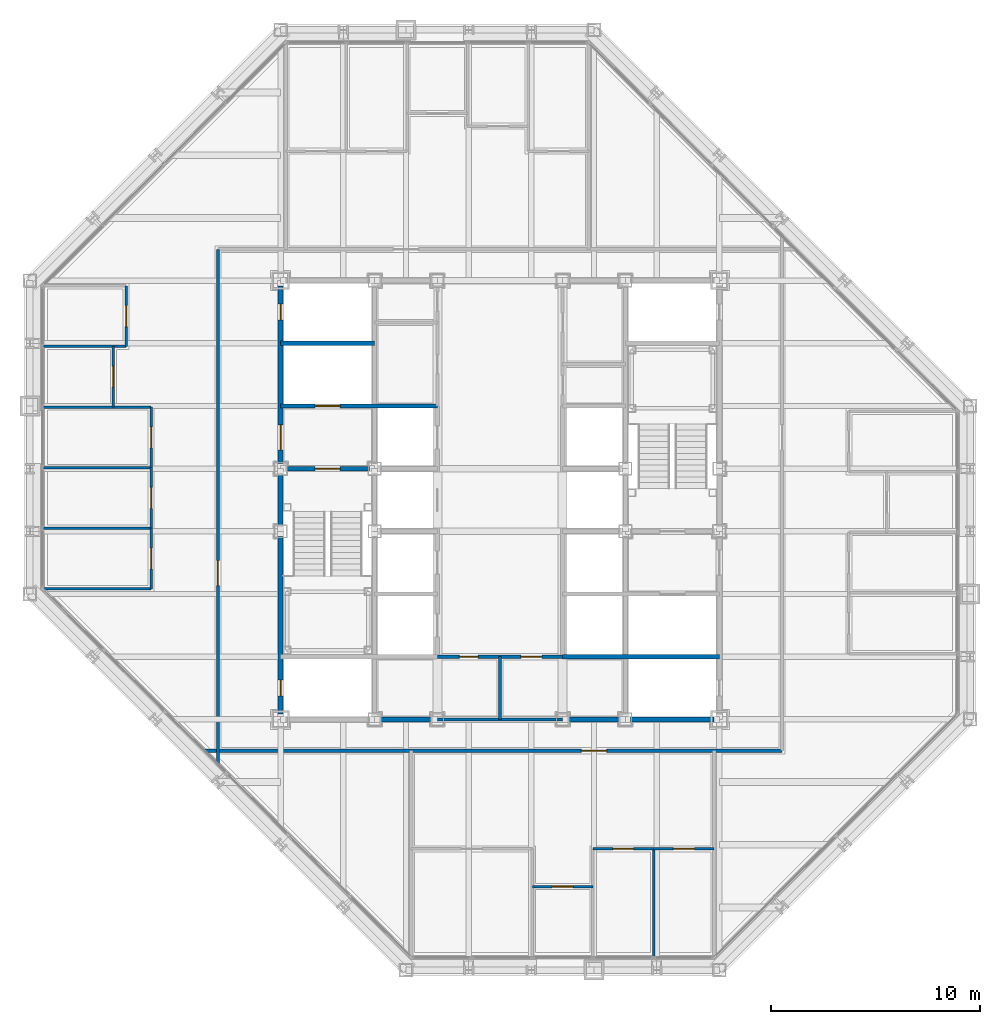
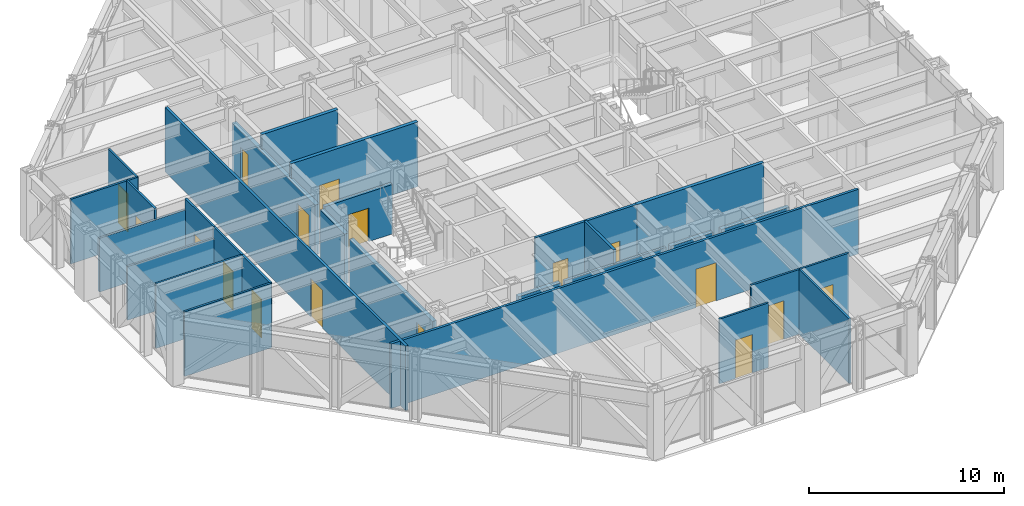
# One storey, part 11 of 16: 29 walls, 17 doors, 17 openings.
"""IFC4 building model written with IfcOpenShell, lengths in metres."""

from ifc_helpers import new_model, si_unit, direction, frame, frame_2d, origin, place, context, subcontext, project, spatial, rectangle, extrude, material, layer, layer_set, type_object, element, fill, save


model = new_model("IFC4")

# Units and contexts
model_context = context("Model", 3, precision=1e-05, world=origin(), true_north=direction((0.0, 1.0)))
body_context = subcontext(model_context, "Body", "Model", "MODEL_VIEW")
ifc_project = project(units=[si_unit("LENGTHUNIT", "METRE"), si_unit("AREAUNIT", "SQUARE_METRE"), si_unit("VOLUMEUNIT", "CUBIC_METRE"), si_unit("PLANEANGLEUNIT", "RADIAN"), si_unit("MASSUNIT", "GRAM", prefix="KILO")], contexts=[model_context])

# Site, building, storey
site_placement = place(None, origin())
site = spatial("IfcSite", under=ifc_project, at=site_placement, CompositionType="ELEMENT")
building_placement = place(site_placement, origin())
building = spatial("IfcBuilding", under=site, at=building_placement, Name="Chuquiago Exchange Tower", CompositionType="ELEMENT")
storey_placement = place(building_placement, frame((0.0, 0.0, 205.5)))
storey = spatial("IfcBuildingStorey", under=building, at=storey_placement, Name="L45", CompositionType="ELEMENT", Elevation=205.5)

# Wall, opening, door
ifc_material_1 = material(Name="Concrete masonry, fully grouted", Category="masonry")
ifc_layer_1 = layer(ifc_material_1, 0.25)
ifc_layer_set_1 = layer_set([ifc_layer_1], Name="W1 core wall 250")
wall_type_1 = type_object("IfcWallType", Name="W1 core wall 250", PredefinedType="SOLIDWALL", material=ifc_layer_set_1)
wall_1_placement = place(storey_placement, frame((12.0, 12.25, 0.0), z_axis=(0.0, 0.0, 1.0), x_axis=(0.0, 1.0, 0.0)))
wall_1 = element("IfcWall", 1, at=wall_1_placement, inside=storey, type_object=wall_type_1, Name="CW-L45-00-0", PredefinedType="SOLIDWALL", context=body_context, shape_type="SweptSolid", body=[
    extrude(rectangle(XDim=8.5, YDim=0.25, at=frame_2d((4.25, 0.0))), origin(), (0.0, 0.0, 1.0), 3.11279296875),
])
opening_1_placement = place(wall_1_placement, frame((0.875, 0.0, 0.0)))
opening_1 = element("IfcOpeningElement", 2, at=opening_1_placement, cuts=wall_1, Name="Opening L45-007", PredefinedType="OPENING", context=body_context, shape_type="SweptSolid", body=[
    extrude(rectangle(XDim=0.75, YDim=2.10009765625, at=frame_2d((0.375, 1.050048828125))), frame((0.0, 0.135009765625, 0.0), z_axis=(0.0, -1.0, 0.0), x_axis=(1.0, 0.0, 0.0)), (0.0, 0.0, 1.0), 0.27001953125),
])
ifc_material_2 = material(Name="Steel door, painted", Category="steel")
door_type_1 = type_object("IfcDoorType", Name="D6 riser access door 750x2100", OperationType="SINGLE_SWING_LEFT", PredefinedType="DOOR", material=ifc_material_2)
door_1_placement = place(opening_1_placement, origin())
door_1 = element("IfcDoor", 3, at=door_1_placement, inside=storey, type_object=door_type_1, Name="Riser RW1 door", OperationType="SINGLE_SWING_LEFT", OverallHeight=2.10009765625, OverallWidth=0.75, PredefinedType="DOOR", context=body_context, shape_type="SweptSolid", body=[
    extrude(rectangle(XDim=0.75, YDim=2.10009765625, at=frame_2d((0.375, 1.050048828125))), frame((0.0, 0.02490234375, 0.0), z_axis=(0.0, -1.0, 0.0), x_axis=(1.0, 0.0, 0.0)), (0.0, 0.0, 1.0), 0.050048828125),
])
fill(opening_1, door_1)

# Wall
wall_2_placement = place(storey_placement, frame((12.0, 21.25, 0.0), z_axis=(0.0, 0.0, 1.0), x_axis=(0.0, 1.0, 0.0)))
element("IfcWall", 4, at=wall_2_placement, inside=storey, type_object=wall_type_1, Name="CW-L45-00-1", PredefinedType="SOLIDWALL", context=body_context, shape_type="SweptSolid", body=[
    extrude(rectangle(XDim=2.5, YDim=0.25, at=frame_2d((1.25, 0.0))), origin(), (0.0, 0.0, 1.0), 3.11279296875),
])

# Wall, openings, doors
wall_3_placement = place(storey_placement, frame((12.0, 24.25, 0.0), z_axis=(0.0, 0.0, 1.0), x_axis=(0.0, 1.0, 0.0)))
wall_3 = element("IfcWall", 5, at=wall_3_placement, inside=storey, type_object=wall_type_1, Name="CW-L45-00-2", PredefinedType="SOLIDWALL", context=body_context, shape_type="SweptSolid", body=[
    extrude(rectangle(XDim=8.5, YDim=0.25, at=frame_2d((4.25, 0.0))), origin(), (0.0, 0.0, 1.0), 3.11279296875),
])
opening_2_placement = place(wall_3_placement, frame((0.64990234375, 0.0, 0.0)))
opening_2 = element("IfcOpeningElement", 6, at=opening_2_placement, cuts=wall_3, Name="Opening L45-002", PredefinedType="OPENING", context=body_context, shape_type="SweptSolid", body=[
    extrude(rectangle(XDim=1.199951171875, YDim=2.10009765625, at=frame_2d((0.60009765625, 1.050048828125))), frame((0.0, 0.135009765625, 0.0), z_axis=(0.0, -1.0, 0.0), x_axis=(1.0, 0.0, 0.0)), (0.0, 0.0, 1.0), 0.27001953125),
])
opening_3_placement = place(wall_3_placement, frame((6.875, 0.0, 0.0)))
opening_3 = element("IfcOpeningElement", 7, at=opening_3_placement, cuts=wall_3, Name="Opening L45-008", PredefinedType="OPENING", context=body_context, shape_type="SweptSolid", body=[
    extrude(rectangle(XDim=0.75, YDim=2.10009765625, at=frame_2d((0.375, 1.050048828125))), frame((0.0, 0.135009765625, 0.0), z_axis=(0.0, -1.0, 0.0), x_axis=(1.0, 0.0, 0.0)), (0.0, 0.0, 1.0), 0.27001953125),
])
ifc_material_3 = material(Name="Steel door, painted", Category="steel")
door_type_2 = type_object("IfcDoorType", Name="D5 firefighting lobby door 1200x2100", OperationType="SINGLE_SWING_LEFT", PredefinedType="DOOR", material=ifc_material_3)
door_2_placement = place(opening_2_placement, frame((1.199951171875, 0.0, 0.0), z_axis=(0.0, 0.0, 1.0), x_axis=(-1.0, 0.0, 0.0)))
door_2 = element("IfcDoor", 8, at=door_2_placement, inside=storey, type_object=door_type_2, Name="Firefighting lobby 1 door", OperationType="SINGLE_SWING_RIGHT", OverallHeight=2.10009765625, OverallWidth=1.199951171875, PredefinedType="DOOR", context=body_context, shape_type="SweptSolid", body=[
    extrude(rectangle(XDim=1.199951171875, YDim=2.10009765625, at=frame_2d((0.60009765625, 1.050048828125))), frame((0.0, 0.02490234375, 0.0), z_axis=(0.0, -1.0, 0.0), x_axis=(1.0, 0.0, 0.0)), (0.0, 0.0, 1.0), 0.050048828125),
])
fill(opening_2, door_2)
door_3_placement = place(opening_3_placement, origin())
door_3 = element("IfcDoor", 9, at=door_3_placement, inside=storey, type_object=door_type_1, Name="Riser RW2 door", OperationType="SINGLE_SWING_RIGHT", OverallHeight=2.10009765625, OverallWidth=0.75, PredefinedType="DOOR", context=body_context, shape_type="SweptSolid", body=[
    extrude(rectangle(XDim=0.75, YDim=2.10009765625, at=frame_2d((0.375, 1.050048828125))), frame((0.0, 0.02490234375, 0.0), z_axis=(0.0, -1.0, 0.0), x_axis=(1.0, 0.0, 0.0)), (0.0, 0.0, 1.0), 0.050048828125),
])
fill(opening_3, door_3)

# Walls
for number, where, z_axis, x_axis, name in (
    (10, (16.75, 12.0, 0.0), (0.0, 0.0, 1.0), (1.0, 0.0, 0.0), "CW-L45-01-1"),
    (11, (25.75, 12.0, 0.0), (0.0, 0.0, 1.0), (1.0, 0.0, 0.0), "CW-L45-02-0"),
):
    element("IfcWall", number, at=place(storey_placement, frame(where, z_axis=z_axis, x_axis=x_axis)), inside=storey, type_object=wall_type_1, Name=name, PredefinedType="SOLIDWALL", context=body_context, shape_type="SweptSolid", body=[
        extrude(rectangle(XDim=2.5, YDim=0.25, at=frame_2d((1.25, 0.0))), origin(), (0.0, 0.0, 1.0), 3.181396484375),
    ])
wall_4_placement = place(storey_placement, frame((28.75, 12.0, 0.0), z_axis=(0.0, 0.0, 1.0), x_axis=(1.0, 0.0, 0.0)))
element("IfcWall", 12, at=wall_4_placement, inside=storey, type_object=wall_type_1, Name="CW-L45-02-1", PredefinedType="SOLIDWALL", context=body_context, shape_type="SweptSolid", body=[
    extrude(rectangle(XDim=4.0, YDim=0.25, at=frame_2d((2.0, 0.0))), origin(), (0.0, 0.0, 1.0), 3.181396484375),
])

# Wall, opening, door
ifc_material_4 = material(Name="Gypsum board on steel studs, acoustic insulation", Category="steel")
ifc_layer_2 = layer(ifc_material_4, 0.14990234375)
ifc_layer_set_2 = layer_set([ifc_layer_2], Name="W11 corridor wall 150")
wall_type_2 = type_object("IfcWallType", Name="W11 corridor wall 150", PredefinedType="PARTITIONING", material=ifc_layer_set_2)
wall_5_placement = place(storey_placement, frame((8.385498046875, 10.5, 0.0), z_axis=(0.0, 0.0, 1.0), x_axis=(1.0, 0.0, 0.0)))
wall_5 = element("IfcWall", 13, at=wall_5_placement, inside=storey, type_object=wall_type_2, Name="PW-L45-CS", PredefinedType="PARTITIONING", context=body_context, shape_type="SweptSolid", body=[
    extrude(rectangle(XDim=27.614501953125, YDim=0.14990234375, at=frame_2d((13.80712890625, 0.0))), origin(), (0.0, 0.0, 1.0), 4.0400390625),
])
opening_4_placement = place(wall_5_placement, frame((18.014404296875, 0.0, 0.0)))
opening_4 = element("IfcOpeningElement", 14, at=opening_4_placement, cuts=wall_5, Name="Opening L45-039", PredefinedType="OPENING", context=body_context, shape_type="SweptSolid", body=[
    extrude(rectangle(XDim=1.199951171875, YDim=2.39990234375, at=frame_2d((0.60009765625, 1.199951171875))), frame((0.0, 0.0849609375, 0.0), z_axis=(0.0, -1.0, 0.0), x_axis=(1.0, 0.0, 0.0)), (0.0, 0.0, 1.0), 0.169921875),
])
ifc_material_5 = material(Name="Timber door, laminate faced", Category="wood")
door_type_3 = type_object("IfcDoorType", Name="D13 suite entrance door 1200x2400", OperationType="SINGLE_SWING_LEFT", PredefinedType="DOOR", material=ifc_material_5)
door_4_placement = place(opening_4_placement, frame((1.199951171875, 0.0, 0.0), z_axis=(0.0, 0.0, 1.0), x_axis=(-1.0, 0.0, 0.0)))
door_4 = element("IfcDoor", 15, at=door_4_placement, inside=storey, type_object=door_type_3, Name="South suite entrance door", OperationType="SINGLE_SWING_LEFT", OverallHeight=2.39990234375, OverallWidth=1.199951171875, PredefinedType="DOOR", context=body_context, shape_type="SweptSolid", body=[
    extrude(rectangle(XDim=1.199951171875, YDim=2.39990234375, at=frame_2d((0.60009765625, 1.199951171875))), frame((0.0, 0.02490234375, 0.0), z_axis=(0.0, -1.0, 0.0), x_axis=(1.0, 0.0, 0.0)), (0.0, 0.0, 1.0), 0.050048828125),
])
fill(opening_4, door_4)

wall_6_placement = place(storey_placement, frame((9.0, 9.885498046875, 0.0), z_axis=(0.0, 0.0, 1.0), x_axis=(0.0, 1.0, 0.0)))
wall_6 = element("IfcWall", 16, at=wall_6_placement, inside=storey, type_object=wall_type_2, Name="PW-L45-CW", PredefinedType="PARTITIONING", context=body_context, shape_type="SweptSolid", body=[
    extrude(rectangle(XDim=24.614501953125, YDim=0.14990234375, at=frame_2d((12.30712890625, 0.0))), origin(), (0.0, 0.0, 1.0), 4.0400390625),
])
opening_5_placement = place(wall_6_placement, frame((8.514404296875, 0.0, 0.0)))
opening_5 = element("IfcOpeningElement", 17, at=opening_5_placement, cuts=wall_6, Name="Opening L45-041", PredefinedType="OPENING", context=body_context, shape_type="SweptSolid", body=[
    extrude(rectangle(XDim=1.199951171875, YDim=2.39990234375, at=frame_2d((0.60009765625, 1.199951171875))), frame((0.0, 0.0849609375, 0.0), z_axis=(0.0, -1.0, 0.0), x_axis=(1.0, 0.0, 0.0)), (0.0, 0.0, 1.0), 0.169921875),
])
door_5_placement = place(opening_5_placement, origin())
door_5 = element("IfcDoor", 18, at=door_5_placement, inside=storey, type_object=door_type_3, Name="West suite entrance door", OperationType="SINGLE_SWING_LEFT", OverallHeight=2.39990234375, OverallWidth=1.199951171875, PredefinedType="DOOR", context=body_context, shape_type="SweptSolid", body=[
    extrude(rectangle(XDim=1.199951171875, YDim=2.39990234375, at=frame_2d((0.60009765625, 1.199951171875))), frame((0.0, 0.02490234375, 0.0), z_axis=(0.0, -1.0, 0.0), x_axis=(1.0, 0.0, 0.0)), (0.0, 0.0, 1.0), 0.050048828125),
])
fill(opening_5, door_5)

# Wall
ifc_material_6 = material(Name="Concrete masonry, fully grouted", Category="masonry")
ifc_layer_3 = layer(ifc_material_6, 0.199951171875)
ifc_layer_set_3 = layer_set([ifc_layer_3], Name="W2 shaft wall 200")
wall_type_3 = type_object("IfcWallType", Name="W2 shaft wall 200", PredefinedType="SOLIDWALL", material=ifc_layer_set_3)
wall_7_placement = place(storey_placement, frame((25.5, 15.0, 0.0), z_axis=(0.0, 0.0, 1.0), x_axis=(1.0, 0.0, 0.0)))
element("IfcWall", 19, at=wall_7_placement, inside=storey, type_object=wall_type_3, Name="CW-L45-04-0", PredefinedType="SOLIDWALL", context=body_context, shape_type="SweptSolid", body=[
    extrude(rectangle(XDim=7.5, YDim=0.199951171875, at=frame_2d((3.75, 0.0))), origin(), (0.0, 0.0, 1.0), 4.0400390625),
])

# Wall, opening, door
wall_8_placement = place(storey_placement, frame((12.25, 24.0, 0.0), z_axis=(0.0, 0.0, 1.0), x_axis=(1.0, 0.0, 0.0)))
wall_8 = element("IfcWall", 20, at=wall_8_placement, inside=storey, type_object=wall_type_3, Name="CW-L45-05-0", PredefinedType="SOLIDWALL", context=body_context, shape_type="SweptSolid", body=[
    extrude(rectangle(XDim=4.0, YDim=0.199951171875, at=frame_2d((2.0, 0.0))), origin(), (0.0, 0.0, 1.0), 3.090087890625),
])
opening_6_placement = place(wall_8_placement, frame((1.39990234375, 0.0, 0.0)))
opening_6 = element("IfcOpeningElement", 21, at=opening_6_placement, cuts=wall_8, Name="Opening L45-001", PredefinedType="OPENING", context=body_context, shape_type="SweptSolid", body=[
    extrude(rectangle(XDim=1.199951171875, YDim=2.10009765625, at=frame_2d((0.60009765625, 1.050048828125))), frame((0.0, 0.10986328125, 0.0), z_axis=(0.0, -1.0, 0.0), x_axis=(1.0, 0.0, 0.0)), (0.0, 0.0, 1.0), 0.219970703125),
])
ifc_material_7 = material(Name="Steel door, painted", Category="steel")
door_type_4 = type_object("IfcDoorType", Name="D4 stair door 1200x2100", OperationType="SINGLE_SWING_LEFT", PredefinedType="DOOR", material=ifc_material_7)
door_6_placement = place(opening_6_placement, frame((1.199951171875, 0.0, 0.0), z_axis=(0.0, 0.0, 1.0), x_axis=(-1.0, 0.0, 0.0)))
door_6 = element("IfcDoor", 22, at=door_6_placement, inside=storey, type_object=door_type_4, Name="Stair ST1 door", OperationType="SINGLE_SWING_RIGHT", OverallHeight=2.10009765625, OverallWidth=1.199951171875, PredefinedType="DOOR", context=body_context, shape_type="SweptSolid", body=[
    extrude(rectangle(XDim=1.199951171875, YDim=2.10009765625, at=frame_2d((0.60009765625, 1.050048828125))), frame((0.0, 0.02490234375, 0.0), z_axis=(0.0, -1.0, 0.0), x_axis=(1.0, 0.0, 0.0)), (0.0, 0.0, 1.0), 0.050048828125),
])
fill(opening_6, door_6)

wall_9_placement = place(storey_placement, frame((12.0, 27.0, 0.0), z_axis=(0.0, 0.0, 1.0), x_axis=(1.0, 0.0, 0.0)))
wall_9 = element("IfcWall", 23, at=wall_9_placement, inside=storey, type_object=wall_type_3, Name="CW-L45-07-0", PredefinedType="SOLIDWALL", context=body_context, shape_type="SweptSolid", body=[
    extrude(rectangle(XDim=7.5, YDim=0.199951171875, at=frame_2d((3.75, 0.0))), origin(), (0.0, 0.0, 1.0), 4.0400390625),
])
opening_7_placement = place(wall_9_placement, frame((1.64990234375, 0.0, 0.0)))
opening_7 = element("IfcOpeningElement", 24, at=opening_7_placement, cuts=wall_9, Name="Opening L45-005", PredefinedType="OPENING", context=body_context, shape_type="SweptSolid", body=[
    extrude(rectangle(XDim=1.199951171875, YDim=2.10009765625, at=frame_2d((0.60009765625, 1.050048828125))), frame((0.0, 0.10986328125, 0.0), z_axis=(0.0, -1.0, 0.0), x_axis=(1.0, 0.0, 0.0)), (0.0, 0.0, 1.0), 0.219970703125),
])
ifc_material_8 = material(Name="Stainless steel lift landing door", Category="steel")
door_type_5 = type_object("IfcDoorType", Name="LD2 firefighting lift landing door 1200x2100", OperationType="DOUBLE_DOOR_SLIDING", PredefinedType="DOOR", material=ifc_material_8)
door_7_placement = place(opening_7_placement, origin())
door_7 = element("IfcDoor", 25, at=door_7_placement, inside=storey, type_object=door_type_5, Name="Firefighting lift FL1 landing door", OperationType="DOUBLE_DOOR_SLIDING", OverallHeight=2.10009765625, OverallWidth=1.199951171875, PredefinedType="DOOR", context=body_context, shape_type="SweptSolid", body=[
    extrude(rectangle(XDim=1.199951171875, YDim=2.10009765625, at=frame_2d((0.60009765625, 1.050048828125))), frame((0.0, 0.02490234375, 0.0), z_axis=(0.0, -1.0, 0.0), x_axis=(1.0, 0.0, 0.0)), (0.0, 0.0, 1.0), 0.050048828125),
])
fill(opening_7, door_7)

# Wall
wall_10_placement = place(storey_placement, frame((12.0, 30.0, 0.0), z_axis=(0.0, 0.0, 1.0), x_axis=(1.0, 0.0, 0.0)))
element("IfcWall", 26, at=wall_10_placement, inside=storey, type_object=wall_type_3, Name="CW-L45-09-0", PredefinedType="SOLIDWALL", context=body_context, shape_type="SweptSolid", body=[
    extrude(rectangle(XDim=4.5, YDim=0.199951171875, at=frame_2d((2.25, 0.0))), origin(), (0.0, 0.0, 1.0), 4.0400390625),
])

# Wall, openings, doors
ifc_material_9 = material(Name="Gypsum board on steel studs", Category="steel")
ifc_layer_4 = layer(ifc_material_9, 0.14990234375)
ifc_layer_set_4 = layer_set([ifc_layer_4], Name="W3 core partition 150")
wall_type_4 = type_object("IfcWallType", Name="W3 core partition 150", PredefinedType="PARTITIONING", material=ifc_layer_set_4)
wall_11_placement = place(storey_placement, frame((19.5, 15.0, 0.0), z_axis=(0.0, 0.0, 1.0), x_axis=(1.0, 0.0, 0.0)))
wall_11 = element("IfcWall", 27, at=wall_11_placement, inside=storey, type_object=wall_type_4, Name="CW-L45-TF", PredefinedType="PARTITIONING", context=body_context, shape_type="SweptSolid", body=[
    extrude(rectangle(XDim=6.0, YDim=0.14990234375, at=frame_2d((3.0, 0.0))), origin(), (0.0, 0.0, 1.0), 4.0400390625),
])
opening_8_placement = place(wall_11_placement, frame((4.0, 0.0, 0.0)))
opening_8 = element("IfcOpeningElement", 28, at=opening_8_placement, cuts=wall_11, Name="Opening L45-015", PredefinedType="OPENING", context=body_context, shape_type="SweptSolid", body=[
    extrude(rectangle(XDim=1.0, YDim=2.10009765625, at=frame_2d((0.5, 1.050048828125))), frame((0.0, 0.0849609375, 0.0), z_axis=(0.0, -1.0, 0.0), x_axis=(1.0, 0.0, 0.0)), (0.0, 0.0, 1.0), 0.169921875),
])
opening_9_placement = place(wall_11_placement, frame((1.050048828125, 0.0, 0.0)))
opening_9 = element("IfcOpeningElement", 29, at=opening_9_placement, cuts=wall_11, Name="Opening L45-016", PredefinedType="OPENING", context=body_context, shape_type="SweptSolid", body=[
    extrude(rectangle(XDim=0.89990234375, YDim=2.10009765625, at=frame_2d((0.449951171875, 1.050048828125))), frame((0.0, 0.0849609375, 0.0), z_axis=(0.0, -1.0, 0.0), x_axis=(1.0, 0.0, 0.0)), (0.0, 0.0, 1.0), 0.169921875),
])
ifc_material_10 = material(Name="Timber door, laminate faced", Category="wood")
door_type_6 = type_object("IfcDoorType", Name="D7 toilet door 900x2100", OperationType="SINGLE_SWING_LEFT", PredefinedType="DOOR", material=ifc_material_10)
door_8_placement = place(opening_9_placement, origin())
door_8 = element("IfcDoor", 30, at=door_8_placement, inside=storey, type_object=door_type_6, Name="Cleaner door", OperationType="SINGLE_SWING_LEFT", OverallHeight=2.10009765625, OverallWidth=0.89990234375, PredefinedType="DOOR", context=body_context, shape_type="SweptSolid", body=[
    extrude(rectangle(XDim=0.89990234375, YDim=2.10009765625, at=frame_2d((0.449951171875, 1.050048828125))), frame((0.0, 0.02490234375, 0.0), z_axis=(0.0, -1.0, 0.0), x_axis=(1.0, 0.0, 0.0)), (0.0, 0.0, 1.0), 0.050048828125),
])
fill(opening_9, door_8)
ifc_material_11 = material(Name="Timber door, laminate faced", Category="wood")
door_type_7 = type_object("IfcDoorType", Name="D8 accessible toilet door 1000x2100", OperationType="SLIDING_TO_LEFT", PredefinedType="DOOR", material=ifc_material_11)
door_9_placement = place(opening_8_placement, origin())
door_9 = element("IfcDoor", 31, at=door_9_placement, inside=storey, type_object=door_type_7, Name="Accessible WC door", OperationType="SLIDING_TO_LEFT", OverallHeight=2.10009765625, OverallWidth=1.0, PredefinedType="DOOR", context=body_context, shape_type="SweptSolid", body=[
    extrude(rectangle(XDim=1.0, YDim=2.10009765625, at=frame_2d((0.5, 1.050048828125))), frame((0.0, 0.02490234375, 0.0), z_axis=(0.0, -1.0, 0.0), x_axis=(1.0, 0.0, 0.0)), (0.0, 0.0, 1.0), 0.050048828125),
])
fill(opening_8, door_9)

# Walls
wall_12_placement = place(storey_placement, frame((22.5, 15.0, 0.0), z_axis=(0.0, 0.0, 1.0), x_axis=(0.0, -1.0, 0.0)))
element("IfcWall", 32, at=wall_12_placement, inside=storey, type_object=wall_type_4, Name="CW-L45-TM", PredefinedType="PARTITIONING", context=body_context, shape_type="SweptSolid", body=[
    extrude(rectangle(XDim=3.0, YDim=0.14990234375, at=frame_2d((1.5, 0.0))), origin(), (0.0, 0.0, 1.0), 4.0400390625),
])
wall_13_placement = place(storey_placement, frame((19.5, 12.0, 0.0), z_axis=(0.0, 0.0, 1.0), x_axis=(1.0, 0.0, 0.0)))
element("IfcWall", 33, at=wall_13_placement, inside=storey, type_object=wall_type_4, Name="CW-L45-TB", PredefinedType="PARTITIONING", context=body_context, shape_type="SweptSolid", body=[
    extrude(rectangle(XDim=6.0, YDim=0.14990234375, at=frame_2d((3.0, 0.0))), origin(), (0.0, 0.0, 1.0), 3.181396484375),
])
ifc_material_12 = material(Name="Gypsum board on steel studs", Category="steel")
ifc_layer_5 = layer(ifc_material_12, 0.1201171875)
ifc_layer_set_5 = layer_set([ifc_layer_5], Name="W4 partition 120")
wall_type_5 = type_object("IfcWallType", Name="W4 partition 120", PredefinedType="PARTITIONING", material=ifc_layer_set_5)
wall_14_placement = place(storey_placement, frame((29.850830078125, 0.652587890625, 0.0), z_axis=(0.0, 0.0, 1.0), x_axis=(0.0, 1.0, 0.0)))
element("IfcWall", 34, at=wall_14_placement, inside=storey, type_object=wall_type_5, Name="PW-L45-S02985", PredefinedType="PARTITIONING", context=body_context, shape_type="SweptSolid", body=[
    extrude(rectangle(XDim=5.1474609375, YDim=0.1201171875, at=frame_2d((2.57373046875, 0.0))), origin(), (0.0, 0.0, 1.0), 4.0400390625),
])

# Wall, opening, door
wall_15_placement = place(storey_placement, frame((24.0498046875, 4.0, 0.0), z_axis=(0.0, 0.0, 1.0), x_axis=(1.0, 0.0, 0.0)))
wall_15 = element("IfcWall", 35, at=wall_15_placement, inside=storey, type_object=wall_type_5, Name="PW-L45-SF02405", PredefinedType="PARTITIONING", context=body_context, shape_type="SweptSolid", body=[
    extrude(rectangle(XDim=2.900390625, YDim=0.1201171875, at=frame_2d((1.4501953125, 0.0))), origin(), (0.0, 0.0, 1.0), 4.0400390625),
])
opening_10_placement = place(wall_15_placement, frame((0.9501953125, 0.0, 0.0)))
opening_10 = element("IfcOpeningElement", 36, at=opening_10_placement, cuts=wall_15, Name="Opening L45-022", PredefinedType="OPENING", context=body_context, shape_type="SweptSolid", body=[
    extrude(rectangle(XDim=1.0, YDim=2.39990234375, at=frame_2d((0.5, 1.199951171875))), frame((0.0, 0.070068359375, 0.0), z_axis=(0.0, -1.0, 0.0), x_axis=(1.0, 0.0, 0.0)), (0.0, 0.0, 1.0), 0.14013671875),
])
ifc_material_13 = material(Name="Timber frame door, full height glazed panel", Category="wood")
door_type_8 = type_object("IfcDoorType", Name="D14 glazed meeting room door 1000x2400", OperationType="SINGLE_SWING_LEFT", PredefinedType="DOOR", material=ifc_material_13)
door_10_placement = place(opening_10_placement, frame((1.0, 0.0, 0.0), z_axis=(0.0, 0.0, 1.0), x_axis=(-1.0, 0.0, 0.0)))
door_10 = element("IfcDoor", 37, at=door_10_placement, inside=storey, type_object=door_type_8, Name="Focus room door", OperationType="SINGLE_SWING_LEFT", OverallHeight=2.39990234375, OverallWidth=1.0, PredefinedType="DOOR", context=body_context, shape_type="SweptSolid", body=[
    extrude(rectangle(XDim=1.0, YDim=2.39990234375, at=frame_2d((0.5, 1.199951171875))), frame((0.0, 0.02490234375, 0.0), z_axis=(0.0, -1.0, 0.0), x_axis=(1.0, 0.0, 0.0)), (0.0, 0.0, 1.0), 0.050048828125),
])
fill(opening_10, door_10)

wall_16_placement = place(storey_placement, frame((26.9501953125, 5.800048828125, 0.0), z_axis=(0.0, 0.0, 1.0), x_axis=(1.0, 0.0, 0.0)))
wall_16 = element("IfcWall", 38, at=wall_16_placement, inside=storey, type_object=wall_type_5, Name="PW-L45-SF02695", PredefinedType="PARTITIONING", context=body_context, shape_type="SweptSolid", body=[
    extrude(rectangle(XDim=2.900634765625, YDim=0.1201171875, at=frame_2d((1.4501953125, 0.0))), origin(), (0.0, 0.0, 1.0), 4.0400390625),
])
opening_11_placement = place(wall_16_placement, frame((0.9501953125, 0.0, 0.0)))
opening_11 = element("IfcOpeningElement", 39, at=opening_11_placement, cuts=wall_16, Name="Opening L45-023", PredefinedType="OPENING", context=body_context, shape_type="SweptSolid", body=[
    extrude(rectangle(XDim=1.0, YDim=2.39990234375, at=frame_2d((0.5, 1.199951171875))), frame((0.0, 0.070068359375, 0.0), z_axis=(0.0, -1.0, 0.0), x_axis=(1.0, 0.0, 0.0)), (0.0, 0.0, 1.0), 0.14013671875),
])
ifc_material_14 = material(Name="Timber door, laminate faced", Category="wood")
door_type_9 = type_object("IfcDoorType", Name="D9 room door 1000x2400", OperationType="SINGLE_SWING_LEFT", PredefinedType="DOOR", material=ifc_material_14)
door_11_placement = place(opening_11_placement, frame((1.0, 0.0, 0.0), z_axis=(0.0, 0.0, 1.0), x_axis=(-1.0, 0.0, 0.0)))
door_11 = element("IfcDoor", 40, at=door_11_placement, inside=storey, type_object=door_type_9, Name="Office door", OperationType="SINGLE_SWING_RIGHT", OverallHeight=2.39990234375, OverallWidth=1.0, PredefinedType="DOOR", context=body_context, shape_type="SweptSolid", body=[
    extrude(rectangle(XDim=1.0, YDim=2.39990234375, at=frame_2d((0.5, 1.199951171875))), frame((0.0, 0.02490234375, 0.0), z_axis=(0.0, -1.0, 0.0), x_axis=(1.0, 0.0, 0.0)), (0.0, 0.0, 1.0), 0.050048828125),
])
fill(opening_11, door_11)

wall_17_placement = place(storey_placement, frame((29.850830078125, 5.800048828125, 0.0), z_axis=(0.0, 0.0, 1.0), x_axis=(1.0, 0.0, 0.0)))
wall_17 = element("IfcWall", 41, at=wall_17_placement, inside=storey, type_object=wall_type_5, Name="PW-L45-SF02985", PredefinedType="PARTITIONING", context=body_context, shape_type="SweptSolid", body=[
    extrude(rectangle(XDim=2.900634765625, YDim=0.1201171875, at=frame_2d((1.4501953125, 0.0))), origin(), (0.0, 0.0, 1.0), 4.0400390625),
])
opening_12_placement = place(wall_17_placement, frame((0.9501953125, 0.0, 0.0)))
opening_12 = element("IfcOpeningElement", 42, at=opening_12_placement, cuts=wall_17, Name="Opening L45-024", PredefinedType="OPENING", context=body_context, shape_type="SweptSolid", body=[
    extrude(rectangle(XDim=1.0, YDim=2.39990234375, at=frame_2d((0.5, 1.199951171875))), frame((0.0, 0.070068359375, 0.0), z_axis=(0.0, -1.0, 0.0), x_axis=(1.0, 0.0, 0.0)), (0.0, 0.0, 1.0), 0.14013671875),
])
door_12_placement = place(opening_12_placement, frame((1.0, 0.0, 0.0), z_axis=(0.0, 0.0, 1.0), x_axis=(-1.0, 0.0, 0.0)))
door_12 = element("IfcDoor", 43, at=door_12_placement, inside=storey, type_object=door_type_9, Name="Office door", OperationType="SINGLE_SWING_LEFT", OverallHeight=2.39990234375, OverallWidth=1.0, PredefinedType="DOOR", context=body_context, shape_type="SweptSolid", body=[
    extrude(rectangle(XDim=1.0, YDim=2.39990234375, at=frame_2d((0.5, 1.199951171875))), frame((0.0, 0.02490234375, 0.0), z_axis=(0.0, -1.0, 0.0), x_axis=(1.0, 0.0, 0.0)), (0.0, 0.0, 1.0), 0.050048828125),
])
fill(opening_12, door_12)

# Walls
wall_18_placement = place(storey_placement, frame((0.666015625, 18.24853515625, 0.0), z_axis=(0.0, 0.0, 1.0), x_axis=(1.0, 0.0, 0.0)))
element("IfcWall", 44, at=wall_18_placement, inside=storey, type_object=wall_type_5, Name="PW-L45-W01825", PredefinedType="PARTITIONING", context=body_context, shape_type="SweptSolid", body=[
    extrude(rectangle(XDim=5.134033203125, YDim=0.1201171875, at=frame_2d((2.56689453125, 0.0))), origin(), (0.0, 0.0, 1.0), 4.0400390625),
])
wall_19_placement = place(storey_placement, frame((0.652587890625, 21.149169921875, 0.0), z_axis=(0.0, 0.0, 1.0), x_axis=(1.0, 0.0, 0.0)))
element("IfcWall", 45, at=wall_19_placement, inside=storey, type_object=wall_type_5, Name="PW-L45-W02115", PredefinedType="PARTITIONING", context=body_context, shape_type="SweptSolid", body=[
    extrude(rectangle(XDim=5.1474609375, YDim=0.1201171875, at=frame_2d((2.57373046875, 0.0))), origin(), (0.0, 0.0, 1.0), 4.0400390625),
])
for number, where, z_axis, x_axis, name in (
    (46, (0.652587890625, 24.0498046875, 0.0), (0.0, 0.0, 1.0), (1.0, 0.0, 0.0), "PW-L45-W02405"),
    (47, (0.652587890625, 26.9501953125, 0.0), (0.0, 0.0, 1.0), (1.0, 0.0, 0.0), "PW-L45-W02695"),
):
    element("IfcWall", number, at=place(storey_placement, frame(where, z_axis=z_axis, x_axis=x_axis)), inside=storey, type_object=wall_type_5, Name=name, PredefinedType="PARTITIONING", context=body_context, shape_type="SweptSolid", body=[
        extrude(rectangle(XDim=5.1474609375, YDim=0.1201171875, at=frame_2d((2.57373046875, 0.0))), origin(), (0.0, 0.0, 1.0), 3.356689453125),
    ])
wall_20_placement = place(storey_placement, frame((0.652587890625, 29.850830078125, 0.0), z_axis=(0.0, 0.0, 1.0), x_axis=(1.0, 0.0, 0.0)))
element("IfcWall", 48, at=wall_20_placement, inside=storey, type_object=wall_type_5, Name="PW-L45-W02985", PredefinedType="PARTITIONING", context=body_context, shape_type="SweptSolid", body=[
    extrude(rectangle(XDim=3.947509765625, YDim=0.1201171875, at=frame_2d((1.9736328125, 0.0))), origin(), (0.0, 0.0, 1.0), 4.0400390625),
])

# Wall, opening, door
wall_21_placement = place(storey_placement, frame((5.800048828125, 18.24853515625, 0.0), z_axis=(0.0, 0.0, 1.0), x_axis=(0.0, 1.0, 0.0)))
wall_21 = element("IfcWall", 49, at=wall_21_placement, inside=storey, type_object=wall_type_5, Name="PW-L45-WF01825", PredefinedType="PARTITIONING", context=body_context, shape_type="SweptSolid", body=[
    extrude(rectangle(XDim=2.900634765625, YDim=0.1201171875, at=frame_2d((1.4501953125, 0.0))), origin(), (0.0, 0.0, 1.0), 4.0400390625),
])
opening_13_placement = place(wall_21_placement, frame((0.9501953125, 0.0, 0.0)))
opening_13 = element("IfcOpeningElement", 50, at=opening_13_placement, cuts=wall_21, Name="Opening L45-034", PredefinedType="OPENING", context=body_context, shape_type="SweptSolid", body=[
    extrude(rectangle(XDim=1.0, YDim=2.39990234375, at=frame_2d((0.5, 1.199951171875))), frame((0.0, 0.070068359375, 0.0), z_axis=(0.0, -1.0, 0.0), x_axis=(1.0, 0.0, 0.0)), (0.0, 0.0, 1.0), 0.14013671875),
])
door_13_placement = place(opening_13_placement, origin())
door_13 = element("IfcDoor", 51, at=door_13_placement, inside=storey, type_object=door_type_8, Name="Meeting room door", OperationType="SINGLE_SWING_LEFT", OverallHeight=2.39990234375, OverallWidth=1.0, PredefinedType="DOOR", context=body_context, shape_type="SweptSolid", body=[
    extrude(rectangle(XDim=1.0, YDim=2.39990234375, at=frame_2d((0.5, 1.199951171875))), frame((0.0, 0.02490234375, 0.0), z_axis=(0.0, -1.0, 0.0), x_axis=(1.0, 0.0, 0.0)), (0.0, 0.0, 1.0), 0.050048828125),
])
fill(opening_13, door_13)

wall_22_placement = place(storey_placement, frame((5.800048828125, 21.149169921875, 0.0), z_axis=(0.0, 0.0, 1.0), x_axis=(0.0, 1.0, 0.0)))
wall_22 = element("IfcWall", 52, at=wall_22_placement, inside=storey, type_object=wall_type_5, Name="PW-L45-WF02115", PredefinedType="PARTITIONING", context=body_context, shape_type="SweptSolid", body=[
    extrude(rectangle(XDim=2.900634765625, YDim=0.1201171875, at=frame_2d((1.4501953125, 0.0))), origin(), (0.0, 0.0, 1.0), 4.0400390625),
])
opening_14_placement = place(wall_22_placement, frame((0.9501953125, 0.0, 0.0)))
opening_14 = element("IfcOpeningElement", 53, at=opening_14_placement, cuts=wall_22, Name="Opening L45-035", PredefinedType="OPENING", context=body_context, shape_type="SweptSolid", body=[
    extrude(rectangle(XDim=1.0, YDim=2.39990234375, at=frame_2d((0.5, 1.199951171875))), frame((0.0, 0.070068359375, 0.0), z_axis=(0.0, -1.0, 0.0), x_axis=(1.0, 0.0, 0.0)), (0.0, 0.0, 1.0), 0.14013671875),
])
door_14_placement = place(opening_14_placement, origin())
door_14 = element("IfcDoor", 54, at=door_14_placement, inside=storey, type_object=door_type_9, Name="Office door", OperationType="SINGLE_SWING_LEFT", OverallHeight=2.39990234375, OverallWidth=1.0, PredefinedType="DOOR", context=body_context, shape_type="SweptSolid", body=[
    extrude(rectangle(XDim=1.0, YDim=2.39990234375, at=frame_2d((0.5, 1.199951171875))), frame((0.0, 0.02490234375, 0.0), z_axis=(0.0, -1.0, 0.0), x_axis=(1.0, 0.0, 0.0)), (0.0, 0.0, 1.0), 0.050048828125),
])
fill(opening_14, door_14)

wall_23_placement = place(storey_placement, frame((5.800048828125, 24.0498046875, 0.0), z_axis=(0.0, 0.0, 1.0), x_axis=(0.0, 1.0, 0.0)))
wall_23 = element("IfcWall", 55, at=wall_23_placement, inside=storey, type_object=wall_type_5, Name="PW-L45-WF02405", PredefinedType="PARTITIONING", context=body_context, shape_type="SweptSolid", body=[
    extrude(rectangle(XDim=2.900390625, YDim=0.1201171875, at=frame_2d((1.4501953125, 0.0))), origin(), (0.0, 0.0, 1.0), 4.0400390625),
])
opening_15_placement = place(wall_23_placement, frame((0.9501953125, 0.0, 0.0)))
opening_15 = element("IfcOpeningElement", 56, at=opening_15_placement, cuts=wall_23, Name="Opening L45-036", PredefinedType="OPENING", context=body_context, shape_type="SweptSolid", body=[
    extrude(rectangle(XDim=1.0, YDim=2.39990234375, at=frame_2d((0.5, 1.199951171875))), frame((0.0, 0.070068359375, 0.0), z_axis=(0.0, -1.0, 0.0), x_axis=(1.0, 0.0, 0.0)), (0.0, 0.0, 1.0), 0.14013671875),
])
door_15_placement = place(opening_15_placement, origin())
door_15 = element("IfcDoor", 57, at=door_15_placement, inside=storey, type_object=door_type_9, Name="Office door", OperationType="SINGLE_SWING_RIGHT", OverallHeight=2.39990234375, OverallWidth=1.0, PredefinedType="DOOR", context=body_context, shape_type="SweptSolid", body=[
    extrude(rectangle(XDim=1.0, YDim=2.39990234375, at=frame_2d((0.5, 1.199951171875))), frame((0.0, 0.02490234375, 0.0), z_axis=(0.0, -1.0, 0.0), x_axis=(1.0, 0.0, 0.0)), (0.0, 0.0, 1.0), 0.050048828125),
])
fill(opening_15, door_15)

wall_24_placement = place(storey_placement, frame((4.0, 26.9501953125, 0.0), z_axis=(0.0, 0.0, 1.0), x_axis=(0.0, 1.0, 0.0)))
wall_24 = element("IfcWall", 58, at=wall_24_placement, inside=storey, type_object=wall_type_5, Name="PW-L45-WF02695", PredefinedType="PARTITIONING", context=body_context, shape_type="SweptSolid", body=[
    extrude(rectangle(XDim=2.900634765625, YDim=0.1201171875, at=frame_2d((1.4501953125, 0.0))), origin(), (0.0, 0.0, 1.0), 4.0400390625),
])
opening_16_placement = place(wall_24_placement, frame((0.9501953125, 0.0, 0.0)))
opening_16 = element("IfcOpeningElement", 59, at=opening_16_placement, cuts=wall_24, Name="Opening L45-037", PredefinedType="OPENING", context=body_context, shape_type="SweptSolid", body=[
    extrude(rectangle(XDim=1.0, YDim=2.39990234375, at=frame_2d((0.5, 1.199951171875))), frame((0.0, 0.070068359375, 0.0), z_axis=(0.0, -1.0, 0.0), x_axis=(1.0, 0.0, 0.0)), (0.0, 0.0, 1.0), 0.14013671875),
])
door_16_placement = place(opening_16_placement, origin())
door_16 = element("IfcDoor", 60, at=door_16_placement, inside=storey, type_object=door_type_8, Name="Focus room door", OperationType="SINGLE_SWING_LEFT", OverallHeight=2.39990234375, OverallWidth=1.0, PredefinedType="DOOR", context=body_context, shape_type="SweptSolid", body=[
    extrude(rectangle(XDim=1.0, YDim=2.39990234375, at=frame_2d((0.5, 1.199951171875))), frame((0.0, 0.02490234375, 0.0), z_axis=(0.0, -1.0, 0.0), x_axis=(1.0, 0.0, 0.0)), (0.0, 0.0, 1.0), 0.050048828125),
])
fill(opening_16, door_16)

wall_25_placement = place(storey_placement, frame((4.60009765625, 29.850830078125, 0.0), z_axis=(0.0, 0.0, 1.0), x_axis=(0.0, 1.0, 0.0)))
wall_25 = element("IfcWall", 61, at=wall_25_placement, inside=storey, type_object=wall_type_5, Name="PW-L45-WF02985", PredefinedType="PARTITIONING", context=body_context, shape_type="SweptSolid", body=[
    extrude(rectangle(XDim=2.900634765625, YDim=0.1201171875, at=frame_2d((1.4501953125, 0.0))), origin(), (0.0, 0.0, 1.0), 4.0400390625),
])
opening_17_placement = place(wall_25_placement, frame((0.9501953125, 0.0, 0.0)))
opening_17 = element("IfcOpeningElement", 62, at=opening_17_placement, cuts=wall_25, Name="Opening L45-038", PredefinedType="OPENING", context=body_context, shape_type="SweptSolid", body=[
    extrude(rectangle(XDim=1.0, YDim=2.39990234375, at=frame_2d((0.5, 1.199951171875))), frame((0.0, 0.070068359375, 0.0), z_axis=(0.0, -1.0, 0.0), x_axis=(1.0, 0.0, 0.0)), (0.0, 0.0, 1.0), 0.14013671875),
])
door_17_placement = place(opening_17_placement, origin())
door_17 = element("IfcDoor", 63, at=door_17_placement, inside=storey, type_object=door_type_9, Name="Pantry door", OperationType="SINGLE_SWING_LEFT", OverallHeight=2.39990234375, OverallWidth=1.0, PredefinedType="DOOR", context=body_context, shape_type="SweptSolid", body=[
    extrude(rectangle(XDim=1.0, YDim=2.39990234375, at=frame_2d((0.5, 1.199951171875))), frame((0.0, 0.02490234375, 0.0), z_axis=(0.0, -1.0, 0.0), x_axis=(1.0, 0.0, 0.0)), (0.0, 0.0, 1.0), 0.050048828125),
])
fill(opening_17, door_17)

save(model, "model.ifc")
